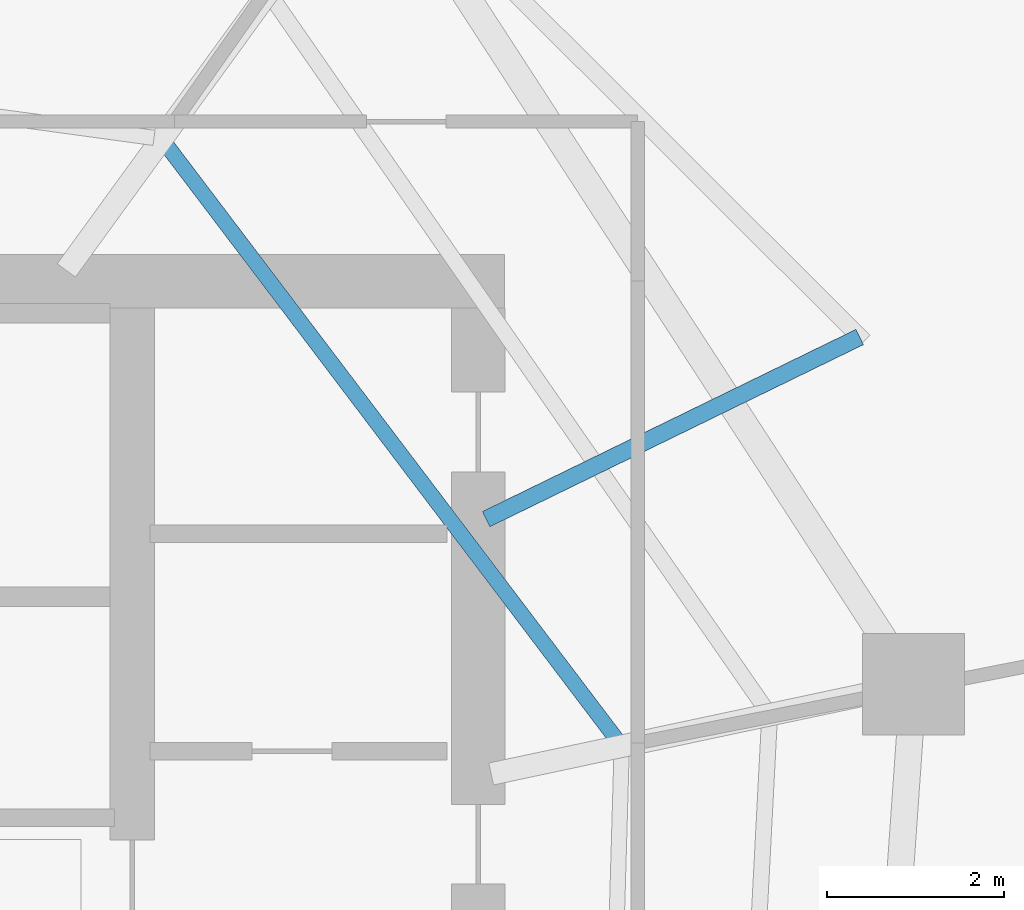
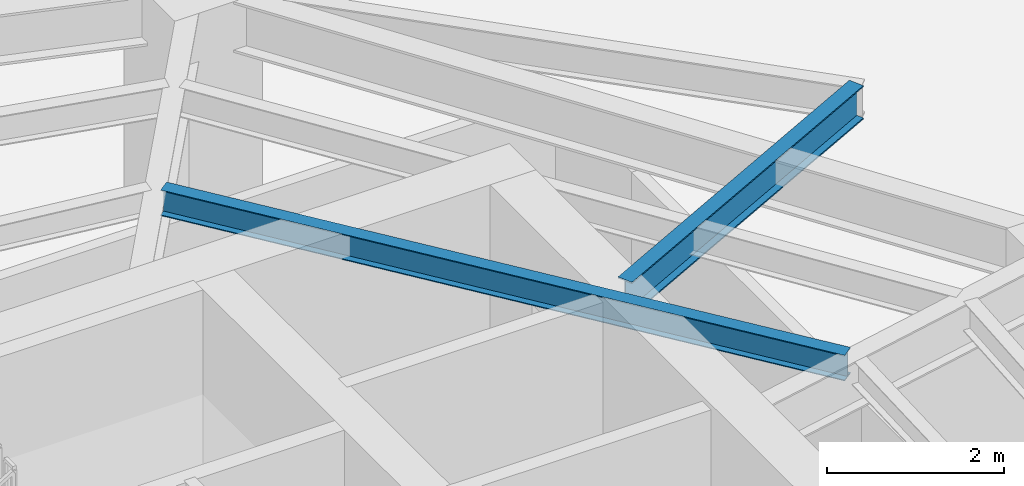
# One storey, part 13 of 30: 2 beams.
"""IFC4 building model written with IfcOpenShell, lengths in metres."""

from ifc_helpers import new_model, si_unit, direction, frame, origin, origin_2d, place, context, subcontext, project, spatial, i_section, extrude, material, material_profile, profile_set, type_object, element, save


model = new_model("IFC4")

# Units and contexts
model_context = context("Model", 3, precision=1e-05, world=origin(), true_north=direction((0.0, 1.0)))
body_context = subcontext(model_context, "Body", "Model", "MODEL_VIEW")
ifc_project = project(units=[si_unit("LENGTHUNIT", "METRE"), si_unit("AREAUNIT", "SQUARE_METRE"), si_unit("VOLUMEUNIT", "CUBIC_METRE"), si_unit("PLANEANGLEUNIT", "RADIAN"), si_unit("MASSUNIT", "GRAM", prefix="KILO")], contexts=[model_context])

# Site, building, storey
site_placement = place(None, origin())
site = spatial("IfcSite", under=ifc_project, at=site_placement, CompositionType="ELEMENT")
building_placement = place(site_placement, origin())
building = spatial("IfcBuilding", under=site, at=building_placement, Name="Qarnah Convention Tower", CompositionType="ELEMENT")
storey_placement = place(building_placement, frame((0.0, 0.0, 86.699951171875)))
storey = spatial("IfcBuildingStorey", under=building, at=storey_placement, Name="L22", CompositionType="ELEMENT", Elevation=86.699951171875)

# Beams
ifc_material = material(Name="Structural steel S355JR", Category="steel")
ifc_material_profile_1 = material_profile(ifc_material, i_section(OverallWidth=0.19189453125, OverallDepth=0.464111328125, WebThickness=0.010986328125, FlangeThickness=0.01806640625, at=origin_2d()), Name="W460X89")
ifc_profile_set_1 = profile_set([ifc_material_profile_1], Name="Structural steel S355JR")
beam_type_1 = type_object("IfcBeamType", Name="BM-CANT-W460A", PredefinedType="BEAM", material=ifc_profile_set_1)
beam_1_placement = place(storey_placement, frame((47.68994140625, 31.51611328125, 2.93798828125), z_axis=(0.898872044655, 0.438211190339, 0.0), x_axis=(-0.438211190339, 0.898872044655, 0.0)))
element("IfcBeam", 1, at=beam_1_placement, inside=storey, type_object=beam_type_1, Name="L22 beam BM-L22-CNT-01-2", PredefinedType="BEAM", context=body_context, shape_type="SweptSolid", body=[
    extrude(i_section(OverallWidth=0.19189453125, OverallDepth=0.464111328125, WebThickness=0.010986328125, FlangeThickness=0.01806640625, at=origin_2d()), origin(), (0.0, 0.0, 1.0), 4.687255859375),
])
ifc_material_profile_2 = material_profile(ifc_material, i_section(OverallWidth=0.172119140625, OverallDepth=0.35595703125, WebThickness=0.007080078125, FlangeThickness=0.011962890625, at=origin_2d()), Name="W360X51")
ifc_profile_set_2 = profile_set([ifc_material_profile_2], Name="Structural steel S355JR")
beam_type_2 = type_object("IfcBeamType", Name="BM-JST-W360", PredefinedType="JOIST", material=ifc_profile_set_2)
beam_2_placement = place(storey_placement, frame((49.166015625, 29.027099609375, 2.991943359375), z_axis=(-0.60383365837, 0.797110351846, 0.0), x_axis=(-0.797110351846, -0.60383365837, 0.0)))
element("IfcBeam", 2, at=beam_2_placement, inside=storey, type_object=beam_type_2, Name="L22 joist BM-L22-IJST-01", PredefinedType="JOIST", context=body_context, shape_type="SweptSolid", body=[
    extrude(i_section(OverallWidth=0.172119140625, OverallDepth=0.35595703125, WebThickness=0.007080078125, FlangeThickness=0.011962890625, at=origin_2d()), origin(), (0.0, 0.0, 1.0), 8.411376953125),
])

save(model, "model.ifc")
